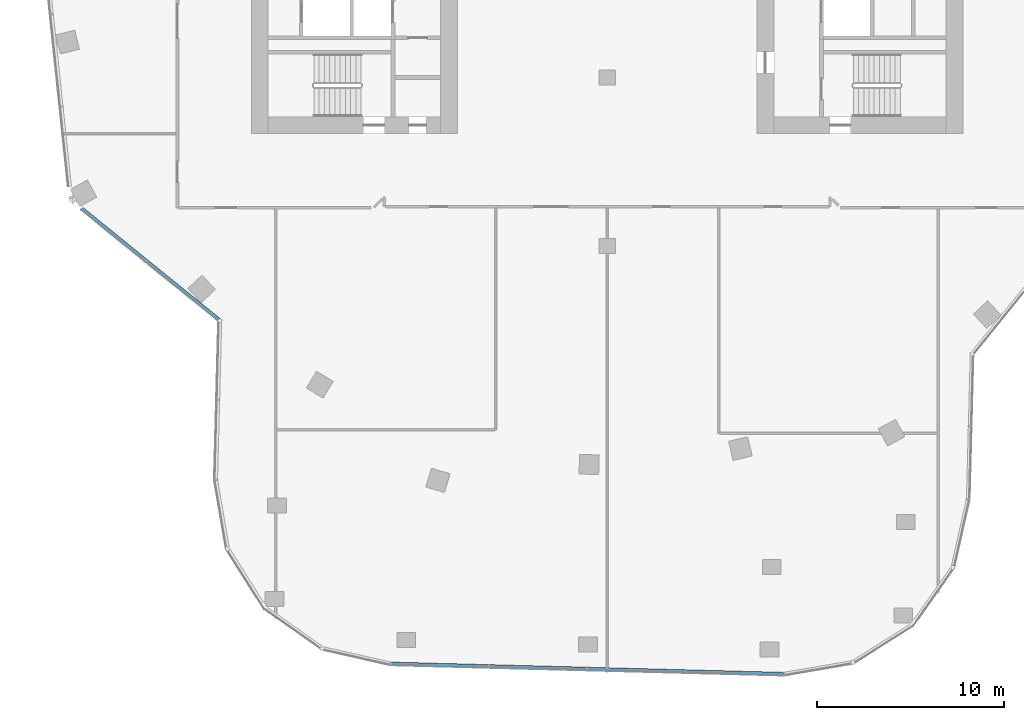
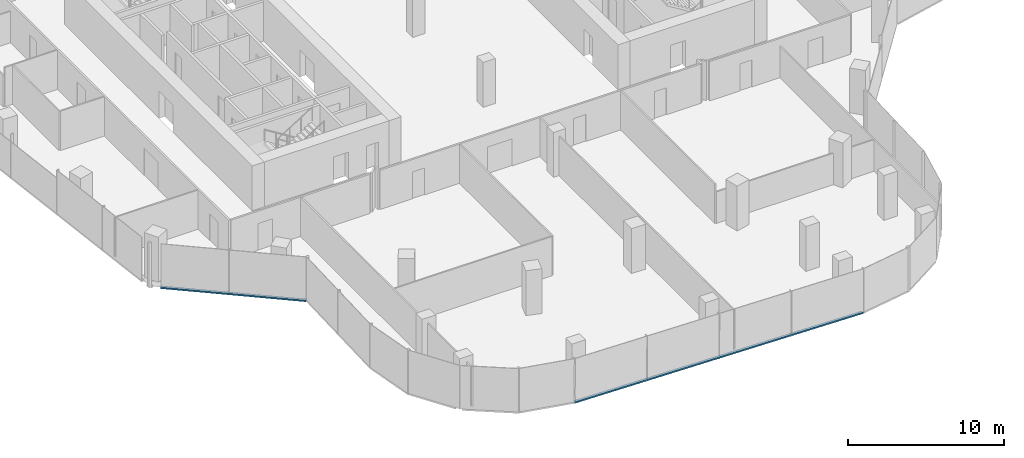
# One storey, part 3 of 23: 2 members, 2 elements without a shape of their own.
"""IFC4 building model written with IfcOpenShell, lengths in metres."""

import ifcopenshell
import ifcopenshell.guid

model = None  # the IFC model being written
_history = None  # IfcOwnerHistory: only IFC2X3 demands one
_inside = {}  # id of a spatial element -> (the spatial element, [elements in it])
_under = {}  # id of a project, library or spatial element -> (it, [spatial elements below it])
_declared = {}  # id of a project -> (the project, [libraries it declares])
_typed = {}  # id of a type object -> (the type object, [elements of that type])
_made_of = {}  # id of a material, layer set ... -> (it, [elements and type objects made of it])


def new_model(schema):
    """Start an empty IFC model of exactly this schema.

    Asked for "IFC4X3", IfcOpenShell would pick the latest addendum, in which some entities
    have other attributes; the version numbers below select the first issue.
    IFC2X3 requires an IfcOwnerHistory on every rooted entity: one is made here for all.
    """
    global model, _history
    if schema == "IFC4X3":
        model = ifcopenshell.file(schema_version=(4, 3, 0, 0))
    else:
        model = ifcopenshell.file(schema=schema)
    _inside.clear()
    _under.clear()
    _declared.clear()
    _typed.clear()
    _made_of.clear()
    _history = None
    if model.schema == "IFC2X3":
        org = make("IfcOrganization", Name="unknown")
        user = make(
            "IfcPersonAndOrganization",
            ThePerson=make("IfcPerson", FamilyName="unknown"),
            TheOrganization=org,
        )
        app = make(
            "IfcApplication",
            ApplicationDeveloper=org,
            Version="unknown",
            ApplicationFullName="unknown",
            ApplicationIdentifier="unknown",
        )
        _history = make(
            "IfcOwnerHistory",
            OwningUser=user,
            OwningApplication=app,
            ChangeAction="ADDED",
            CreationDate=0,
        )
    return model


def make(cls, **values):
    """One entity of the class cls with the attributes given. An attribute that is None is left unset."""
    return model.create_entity(
        cls, **{name: value for name, value in values.items() if value is not None}
    )


def rooted(cls, **values):
    """An entity with a GlobalId (a new one), such as an element, a storey or a relation."""
    return make(cls, GlobalId=ifcopenshell.guid.new(), OwnerHistory=_history, **values)


def si_unit(unit_type, name, prefix=None):
    """IfcSIUnit, for example si_unit("LENGTHUNIT", "METRE", prefix="MILLI")."""
    return make("IfcSIUnit", UnitType=unit_type, Prefix=prefix, Name=name)


def assignment(units):
    """IfcUnitAssignment: the units of a project."""
    return None if units is None else make("IfcUnitAssignment", Units=units)


def point(xyz):
    """IfcCartesianPoint."""
    return None if xyz is None else make("IfcCartesianPoint", Coordinates=xyz)


def direction(xyz):
    """IfcDirection."""
    return None if xyz is None else make("IfcDirection", DirectionRatios=xyz)


def frame(location, z_axis=None, x_axis=None):
    """IfcAxis2Placement3D, a coordinate frame: its origin and axes. An axis left out is left unset."""
    return make(
        "IfcAxis2Placement3D",
        Location=point(location),
        Axis=direction(z_axis),
        RefDirection=direction(x_axis),
    )


def frame_2d(location, x_axis=None):
    """IfcAxis2Placement2D, a coordinate frame in the plane: its origin and x axis."""
    return make(
        "IfcAxis2Placement2D", Location=point(location), RefDirection=direction(x_axis)
    )


def origin():
    """The frame at (0, 0, 0) with its axes left unset."""
    return frame((0.0, 0.0, 0.0))


def origin_2d():
    """The frame at (0, 0) in the plane with its x axis left unset."""
    return frame_2d((0.0, 0.0))


def place(relative_to, where):
    """IfcLocalPlacement: puts the frame where relative to a parent placement (None: the world)."""
    return make(
        "IfcLocalPlacement", PlacementRelTo=relative_to, RelativePlacement=where
    )


def context(
    kind, dimensions, precision=None, world=None, true_north=None, identifier=None
):
    """IfcGeometricRepresentationContext, for example the 3D "Model" context."""
    return make(
        "IfcGeometricRepresentationContext",
        ContextIdentifier=identifier,
        ContextType=kind,
        CoordinateSpaceDimension=dimensions,
        Precision=precision,
        WorldCoordinateSystem=world,
        TrueNorth=true_north,
    )


def subcontext(parent, identifier, kind, view, scale=None):
    """IfcGeometricRepresentationSubContext, for example "Body" below "Model"."""
    return make(
        "IfcGeometricRepresentationSubContext",
        ContextIdentifier=identifier,
        ContextType=kind,
        ParentContext=parent,
        TargetScale=scale,
        TargetView=view,
    )


def project(units=None, contexts=None):
    """IfcProject with its units and contexts."""
    return rooted(
        "IfcProject",
        Name="project",
        RepresentationContexts=contexts,
        UnitsInContext=assignment(units),
    )


def spatial(cls, under=None, at=None, **own):
    """A site, building, storey or space (cls), placed at a placement, below another one or the project."""
    s = rooted(cls, ObjectPlacement=at, **own)
    if under is not None:
        _under.setdefault(under.id(), (under, []))[1].append(s)
    return s


def profile(cls, at=None, kind="AREA", **sizes):
    """A parametric profile (cls). Its sizes go by their IFC names, for example OverallWidth=200.0."""
    return make(cls, ProfileType=kind, Position=at, **sizes)


def rectangle(**sizes):
    """IfcRectangleProfileDef."""
    return profile("IfcRectangleProfileDef", **sizes)


def extrude(swept, where, along, depth):
    """IfcExtrudedAreaSolid: the profile swept, set in the frame where, extruded along a direction by depth."""
    return make(
        "IfcExtrudedAreaSolid",
        SweptArea=swept,
        Position=where,
        ExtrudedDirection=direction(along),
        Depth=depth,
    )


def shape(context_of_items, identifier, shape_type, items):
    """IfcShapeRepresentation: the items that make up one representation, for example the "Body"."""
    return make(
        "IfcShapeRepresentation",
        ContextOfItems=context_of_items,
        RepresentationIdentifier=identifier,
        RepresentationType=shape_type,
        Items=items,
    )


def material(Name=None, Category=None):
    """IfcMaterial."""
    return make("IfcMaterial", Name=Name, Category=Category)


def material_profile(
    of_material, cross_section, Name=None, Category=None, Priority=None
):
    """IfcMaterialProfile: a cross section and its material."""
    return make(
        "IfcMaterialProfile",
        Name=Name,
        Material=of_material,
        Profile=cross_section,
        Priority=Priority,
        Category=Category,
    )


def profile_set(profiles, Name=None, composite=None):
    """IfcMaterialProfileSet."""
    return make(
        "IfcMaterialProfileSet",
        Name=Name,
        MaterialProfiles=profiles,
        CompositeProfile=composite,
    )


def made_of(thing, what):
    """Note that an element or type object is made of a material, layer set ...; save() writes the relation."""
    if what is not None:
        _made_of.setdefault(what.id(), (what, []))[1].append(thing)
    return thing


def type_object(cls, material=None, **own):
    """A type object (cls), such as IfcWallType, which elements share."""
    return made_of(rooted(cls, **own), material)


def element(
    cls,
    number,
    at=None,
    inside=None,
    cuts=None,
    type_object=None,
    material=None,
    context=None,
    identifier="Body",
    shape_type=None,
    held_by="IfcProductDefinitionShape",
    body=None,
    shapes=None,
    **own,
):
    """One element of the class cls, such as IfcWall. Its Tag is "e" and its number.

    at: its placement. inside: the storey or other place that contains it. cuts: it is an
    opening in that element (IfcRelVoidsElement). A single representation is given by context,
    identifier, shape_type and body (its items); several are given by shapes. held_by: the class
    of the entity that holds the representations. save() writes the other relations.
    """
    e = rooted(cls, Tag="e%d" % number, ObjectPlacement=at, **own)
    if body is not None:
        shapes = [shape(context, identifier, shape_type, body)]
    if shapes is not None:
        e.Representation = make(held_by, Representations=shapes)
    if inside is not None:
        _inside.setdefault(inside.id(), (inside, []))[1].append(e)
    if cuts is not None:
        rooted(
            "IfcRelVoidsElement", RelatingBuildingElement=cuts, RelatedOpeningElement=e
        )
    if type_object is not None:
        _typed.setdefault(type_object.id(), (type_object, []))[1].append(e)
    return made_of(e, material)


def aggregate(whole, parts):
    """IfcRelAggregates: a whole, such as a stair, and the parts it consists of."""
    return rooted("IfcRelAggregates", RelatingObject=whole, RelatedObjects=parts)


def save(model, path):
    """Write the relations noted so far, then the file.

    IfcRelAggregates (storeys below a building ...), IfcRelContainedInSpatialStructure (elements
    in a storey), IfcRelDefinesByType, IfcRelAssociatesMaterial and IfcRelDeclares: one each for
    every whole, place, type object, material and project.
    """
    for whole, parts in _under.values():
        aggregate(whole, parts)
    for where, things in _inside.values():
        rooted(
            "IfcRelContainedInSpatialStructure",
            RelatedElements=things,
            RelatingStructure=where,
        )
    for kind, things in _typed.values():
        rooted("IfcRelDefinesByType", RelatedObjects=things, RelatingType=kind)
    for what, things in _made_of.values():
        rooted("IfcRelAssociatesMaterial", RelatedObjects=things, RelatingMaterial=what)
    for by, libraries in _declared.values():
        rooted("IfcRelDeclares", RelatingContext=by, RelatedDefinitions=libraries)
    model.write(path)


model = new_model("IFC4")

# Units and contexts
model_context = context("Model", 3, precision=1e-05, world=origin(), true_north=direction((0.0, 1.0)))
body_context = subcontext(model_context, "Body", "Model", "MODEL_VIEW")
ifc_project = project(units=[si_unit("LENGTHUNIT", "METRE"), si_unit("AREAUNIT", "SQUARE_METRE"), si_unit("VOLUMEUNIT", "CUBIC_METRE"), si_unit("PLANEANGLEUNIT", "RADIAN"), si_unit("MASSUNIT", "GRAM", prefix="KILO")], contexts=[model_context])

# Site, building, storey
site_placement = place(None, origin())
site = spatial("IfcSite", under=ifc_project, at=site_placement, CompositionType="ELEMENT")
building_placement = place(site_placement, origin())
building = spatial("IfcBuilding", under=site, at=building_placement, Name="Orlundy Tower", CompositionType="ELEMENT")
storey_placement = place(building_placement, frame((0.0, 0.0, 224.5)))
storey = spatial("IfcBuildingStorey", under=building, at=storey_placement, Name="L59", CompositionType="ELEMENT", Elevation=224.5)

# Curtain wall, member
ifc_material_1 = material(Name="Aluminium bronze anodised", Category="aluminium")
curtain_wall_type = type_object("IfcCurtainWallType", Name="CW1 wall", PredefinedType="NOTDEFINED", material=ifc_material_1)
curtain_wall_1_placement = place(storey_placement, origin())
curtain_wall_1 = element("IfcCurtainWall", 1, at=curtain_wall_1_placement, inside=storey, type_object=curtain_wall_type, Name="CW1 run 01", PredefinedType="NOTDEFINED")
ifc_material_2 = material(Name="Aluminium bronze anodised", Category="aluminium")
ifc_material_profile = material_profile(ifc_material_2, rectangle(XDim=0.179931640625, YDim=0.1201171875, at=origin_2d()), Name="CW1 transom 180x120")
ifc_profile_set = profile_set([ifc_material_profile], Name="Aluminium bronze anodised")
member_type = type_object("IfcMemberType", Name="CW1 transom 180x120", PredefinedType="USERDEFINED", material=ifc_profile_set)
member_1_placement = place(storey_placement, frame((-20.7421875, -21.92138671875, -0.360107421875), z_axis=(-0.777166916874, 0.629294512384, 0.0), x_axis=(-0.629294512384, -0.777166916874, 0.0)))
member_1 = element("IfcMember", 2, at=member_1_placement, type_object=member_type, Name="CW1 transom", ObjectType="TRANSOM", PredefinedType="USERDEFINED", context=body_context, shape_type="SweptSolid", body=[
    extrude(rectangle(XDim=0.179931640625, YDim=0.1201171875, at=origin_2d()), origin(), (0.0, 0.0, 1.0), 9.4091796875),
])
aggregate(curtain_wall_1, [member_1])

curtain_wall_2_placement = place(storey_placement, origin())
curtain_wall_2 = element("IfcCurtainWall", 3, at=curtain_wall_2_placement, inside=storey, type_object=curtain_wall_type, Name="CW1 run 023", PredefinedType="NOTDEFINED")
member_2_placement = place(storey_placement, frame((9.41748046875, -40.8505859375, -0.360107421875), z_axis=(-0.999657078834, 0.026186346401, 0.0), x_axis=(-0.026186346401, -0.999657078834, 0.0)))
member_2 = element("IfcMember", 4, at=member_2_placement, type_object=member_type, Name="CW1 transom", ObjectType="TRANSOM", PredefinedType="USERDEFINED", context=body_context, shape_type="SweptSolid", body=[
    extrude(rectangle(XDim=0.179931640625, YDim=0.1201171875, at=origin_2d()), origin(), (0.0, 0.0, 1.0), 20.9677734375),
])
aggregate(curtain_wall_2, [member_2])

save(model, "model.ifc")
